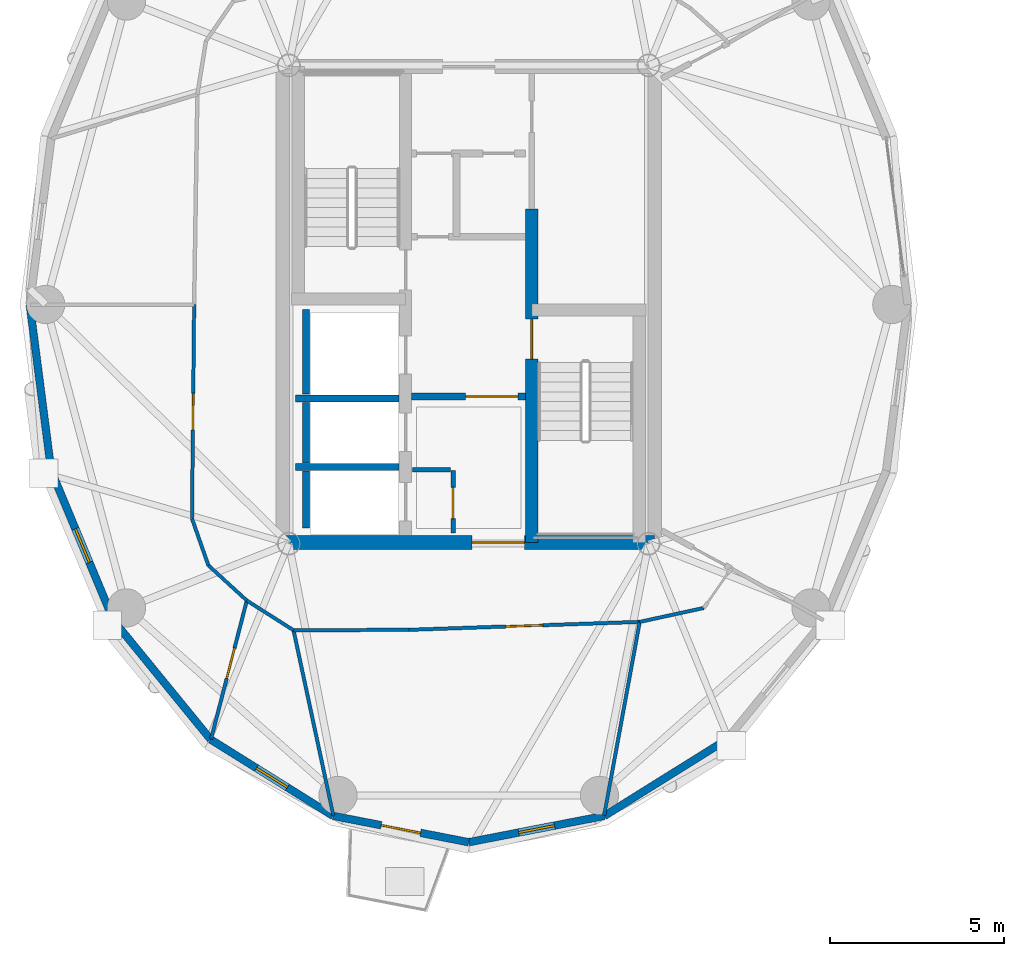
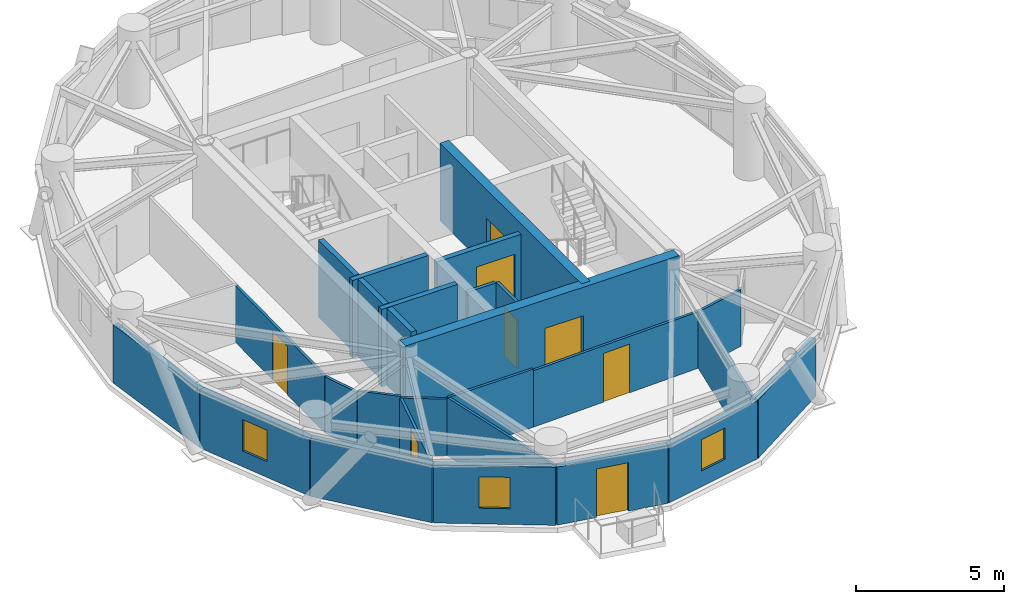
# One storey, part 7 of 15: 27 walls, 8 doors, 3 windows, 11 openings.
"""IFC4 building model written with IfcOpenShell, lengths in metres."""

from ifc_helpers import new_model, si_unit, direction, frame, frame_2d, origin, place, context, subcontext, project, spatial, rectangle, extrude, source, transform, mapped, material, layer, layer_set, type_object, element, fill, save


model = new_model("IFC4")

# Units and contexts
model_context = context("Model", 3, precision=1e-05, world=origin(), true_north=direction((0.0, 1.0)))
body_context = subcontext(model_context, "Body", "Model", "MODEL_VIEW")
ifc_project = project(units=[si_unit("LENGTHUNIT", "METRE"), si_unit("AREAUNIT", "SQUARE_METRE"), si_unit("VOLUMEUNIT", "CUBIC_METRE"), si_unit("PLANEANGLEUNIT", "RADIAN"), si_unit("MASSUNIT", "GRAM", prefix="KILO")], contexts=[model_context])

# Site, building, storey
site_placement = place(None, origin())
site = spatial("IfcSite", under=ifc_project, at=site_placement, CompositionType="ELEMENT")
building_placement = place(site_placement, origin())
building = spatial("IfcBuilding", under=site, at=building_placement, Name="Cununo Teusaquillo Station Towers", CompositionType="ELEMENT")
storey_placement = place(building_placement, frame((0.0, 0.0, 232.449951171875)))
storey = spatial("IfcBuildingStorey", under=building, at=storey_placement, Name="L74", CompositionType="ELEMENT", Elevation=232.449951171875)

# Walls
ifc_material_1 = material(Name="Concrete C50/60", Category="concrete")
ifc_layer_1 = layer(ifc_material_1, 0.199951171875)
ifc_layer_set_1 = layer_set([ifc_layer_1], Name="Concrete C50/60")
wall_type_1 = type_object("IfcWallType", Name="WL-CORE-200", PredefinedType="SHEAR", material=ifc_layer_set_1)
wall_1_placement = place(storey_placement, frame((11.52001953125, 21.800048828125, 0.0), z_axis=(0.0, 0.0, 1.0), x_axis=(1.0, 0.0, 0.0)))
element("IfcWall", 1, at=wall_1_placement, inside=storey, type_object=wall_type_1, Name="L74 Tower A Firefighting Lift Shaft South Shear Wall", PredefinedType="SHEAR", context=body_context, shape_type="SweptSolid", body=[
    extrude(rectangle(XDim=2.969970703125, YDim=0.199951171875, at=frame_2d((1.48486328125, 0.0))), origin(), (0.0, 0.0, 1.0), 3.199951171875),
])
wall_2_placement = place(storey_placement, frame((11.820068359375, 21.919921875, 0.0), z_axis=(0.0, 0.0, 1.0), x_axis=(0.0, 1.0, 0.0)))
element("IfcWall", 2, at=wall_2_placement, inside=storey, type_object=wall_type_1, Name="L74 Tower A Firefighting Lift Shaft Rear Shear Wall", PredefinedType="SHEAR", context=body_context, shape_type="SweptSolid", body=[
    extrude(rectangle(XDim=2.440185546875, YDim=0.199951171875, at=frame_2d((1.22021484375, 0.0))), origin(), (0.0, 0.0, 1.0), 3.199951171875),
])
wall_3_placement = place(storey_placement, frame((11.52001953125, 19.824951171875, 0.0), z_axis=(0.0, 0.0, 1.0), x_axis=(1.0, 0.0, 0.0)))
element("IfcWall", 3, at=wall_3_placement, inside=storey, type_object=wall_type_1, Name="L74 Tower A High-Rise Lift Hoistway Divider Shear Wall", PredefinedType="SHEAR", context=body_context, shape_type="SweptSolid", body=[
    extrude(rectangle(XDim=2.969970703125, YDim=0.199951171875, at=frame_2d((1.48486328125, 0.0))), origin(), (0.0, 0.0, 1.0), 3.199951171875),
])
wall_4_placement = place(storey_placement, frame((11.820068359375, 19.945068359375, 0.0), z_axis=(0.0, 0.0, 1.0), x_axis=(0.0, 1.0, 0.0)))
element("IfcWall", 4, at=wall_4_placement, inside=storey, type_object=wall_type_1, Name="L74 Tower A High-Rise Lift 2 Shaft Rear Shear Wall", PredefinedType="SHEAR", context=body_context, shape_type="SweptSolid", body=[
    extrude(rectangle(XDim=1.73486328125, YDim=0.199951171875, at=frame_2d((0.867431640625, 0.0))), origin(), (0.0, 0.0, 1.0), 3.199951171875),
])
wall_5_placement = place(storey_placement, frame((11.820068359375, 18.070068359375, 0.0), z_axis=(0.0, 0.0, 1.0), x_axis=(0.0, 1.0, 0.0)))
element("IfcWall", 5, at=wall_5_placement, inside=storey, type_object=wall_type_1, Name="L74 Tower A High-Rise Lift 1 Shaft Rear Shear Wall", PredefinedType="SHEAR", context=body_context, shape_type="SweptSolid", body=[
    extrude(rectangle(XDim=1.635009765625, YDim=0.199951171875, at=frame_2d((0.8173828125, 0.0))), origin(), (0.0, 0.0, 1.0), 3.199951171875),
])

# Wall, opening, door
ifc_material_2 = material(Name="Concrete C50/60", Category="concrete")
ifc_layer_2 = layer(ifc_material_2, 0.35009765625)
ifc_layer_set_2 = layer_set([ifc_layer_2], Name="Concrete C50/60")
wall_type_2 = type_object("IfcWallType", Name="WL-CORE-350", PredefinedType="SHEAR", material=ifc_layer_set_2)
wall_6_placement = place(storey_placement, frame((18.31494140625, 17.64990234375, 0.0), z_axis=(0.0, 0.0, 1.0), x_axis=(0.0, 1.0, 0.0)))
wall_6 = element("IfcWall", 6, at=wall_6_placement, inside=storey, type_object=wall_type_2, Name="L74 Tower A Core Shear Wall IE", PredefinedType="SHEAR", context=body_context, shape_type="SweptSolid", body=[
    extrude(rectangle(XDim=9.60009765625, YDim=0.35009765625, at=frame_2d((4.800048828125, 0.0))), origin(), (0.0, 0.0, 1.0), 3.199951171875),
])
shared_shape_1 = source(origin(), body_context, "Body", "SweptSolid", [
    extrude(rectangle(XDim=1.14990234375, YDim=2.02001953125, at=frame_2d((0.574951171875, 1.010009765625))), frame((0.0, 0.18505859375, 0.0), z_axis=(0.0, -1.0, 0.0), x_axis=(1.0, 0.0, 0.0)), (0.0, 0.0, 1.0), 0.3701171875),
])
opening_1_placement = place(wall_6_placement, frame((5.280029296875, 0.0, 0.0)))
opening_1 = element("IfcOpeningElement", 7, at=opening_1_placement, cuts=wall_6, Name="Opening D-ST1", PredefinedType="OPENING", context=body_context, shape_type="MappedRepresentation", body=[
    mapped(shared_shape_1, transform((0.0, 0.0, 0.0), x_axis=(1.0, 0.0, 0.0), y_axis=(0.0, 1.0, 0.0), z_axis=(0.0, 0.0, 1.0), scale=1.0)),
])
ifc_material_3 = material(Name="Galvanised fire-rated hollow steel door assembly", Category="steel")
door_type_1 = type_object("IfcDoorType", Name="DR-STAIR-1150", OperationType="NOTDEFINED", PredefinedType="DOOR", material=ifc_material_3)
shared_shape_2 = source(origin(), body_context, "Body", "SweptSolid", [
    extrude(rectangle(XDim=1.14990234375, YDim=2.02001953125, at=frame_2d((0.574951171875, 1.010009765625))), frame((0.0, 0.02490234375, 0.0), z_axis=(0.0, -1.0, 0.0), x_axis=(1.0, 0.0, 0.0)), (0.0, 0.0, 1.0), 0.050048828125),
])
door_1_placement = place(opening_1_placement, origin())
door_1 = element("IfcDoor", 8, at=door_1_placement, inside=storey, type_object=door_type_1, Name="L74 Tower A Exit Stair 2 Fire Door", OperationType="SINGLE_SWING_LEFT", OverallHeight=2.02001953125, OverallWidth=1.14990234375, PredefinedType="DOOR", context=body_context, shape_type="MappedRepresentation", body=[
    mapped(shared_shape_2, transform((0.0, 0.0, 0.0), x_axis=(1.0, 0.0, 0.0), y_axis=(0.0, 1.0, 0.0), z_axis=(0.0, 0.0, 1.0), scale=1.0)),
])
fill(opening_1, door_1)

ifc_material_4 = material(Name="Concrete C50/60", Category="concrete")
ifc_layer_3 = layer(ifc_material_4, 0.39990234375)
ifc_layer_set_3 = layer_set([ifc_layer_3], Name="Concrete C50/60")
wall_type_3 = type_object("IfcWallType", Name="WL-CORE-400", PredefinedType="SHEAR", material=ifc_layer_set_3)
wall_7_placement = place(storey_placement, frame((11.14990234375, 17.64990234375, 0.0), z_axis=(0.0, 0.0, 1.0), x_axis=(1.0, 0.0, 0.0)))
wall_7 = element("IfcWall", 9, at=wall_7_placement, inside=storey, type_object=wall_type_3, Name="L74 Tower A Core Shear Wall S", PredefinedType="SHEAR", context=body_context, shape_type="SweptSolid", body=[
    extrude(rectangle(XDim=10.7001953125, YDim=0.39990234375, at=frame_2d((5.35009765625, 0.0))), origin(), (0.0, 0.0, 1.0), 3.199951171875),
])
shared_shape_3 = source(origin(), body_context, "Body", "SweptSolid", [
    extrude(rectangle(XDim=1.5, YDim=2.02001953125, at=frame_2d((0.75, 1.010009765625))), frame((0.0, 0.2099609375, 0.0), z_axis=(0.0, -1.0, 0.0), x_axis=(1.0, 0.0, 0.0)), (0.0, 0.0, 1.0), 0.419921875),
])
opening_2_placement = place(wall_7_placement, frame((5.449951171875, 0.0, 0.0)))
opening_2 = element("IfcOpeningElement", 10, at=opening_2_placement, cuts=wall_7, Name="Opening D-LB1", PredefinedType="OPENING", context=body_context, shape_type="MappedRepresentation", body=[
    mapped(shared_shape_3, transform((0.0, 0.0, 0.0), x_axis=(1.0, 0.0, 0.0), y_axis=(0.0, 1.0, 0.0), z_axis=(0.0, 0.0, 1.0), scale=1.0)),
])
ifc_material_5 = material(Name="Galvanised fire-rated hollow steel door assembly", Category="steel")
door_type_2 = type_object("IfcDoorType", Name="DR-LOBBY-1500", OperationType="DOUBLE_DOOR_SINGLE_SWING", PredefinedType="DOOR", material=ifc_material_5)
shared_shape_4 = source(origin(), body_context, "Body", "SweptSolid", [
    extrude(rectangle(XDim=1.5, YDim=2.02001953125, at=frame_2d((0.75, 1.010009765625))), frame((0.0, 0.02490234375, 0.0), z_axis=(0.0, -1.0, 0.0), x_axis=(1.0, 0.0, 0.0)), (0.0, 0.0, 1.0), 0.050048828125),
])
door_2_placement = place(opening_2_placement, origin())
door_2 = element("IfcDoor", 11, at=door_2_placement, inside=storey, type_object=door_type_2, Name="L74 Tower A South Core Lift Lobby Door", OperationType="DOUBLE_DOOR_SINGLE_SWING", OverallHeight=2.02001953125, OverallWidth=1.5, PredefinedType="DOOR", context=body_context, shape_type="MappedRepresentation", body=[
    mapped(shared_shape_4, transform((0.0, 0.0, 0.0), x_axis=(1.0, 0.0, 0.0), y_axis=(0.0, 1.0, 0.0), z_axis=(0.0, 0.0, 1.0), scale=1.0)),
])
fill(opening_2, door_2)

# Wall
ifc_material_6 = material(Name="Precast concrete C40/50", Category="concrete")
ifc_layer_4 = layer(ifc_material_6, 0.219970703125)
ifc_layer_set_4 = layer_set([ifc_layer_4], Name="Precast concrete C40/50")
wall_type_4 = type_object("IfcWallType", Name="WL-EXT-220", PredefinedType="SOLIDWALL", material=ifc_layer_set_4)
wall_8_placement = place(storey_placement, frame((4.48828125, 19.719482421875, 0.0), z_axis=(0.0, 0.0, 1.0), x_axis=(-0.128241318541, 0.991742993027, 0.0)))
element("IfcWall", 12, at=wall_8_placement, inside=storey, type_object=wall_type_4, Name="L74 Tower A Exterior Facade Wall C10", PredefinedType="SOLIDWALL", context=body_context, shape_type="SweptSolid", body=[
    extrude(rectangle(XDim=4.8203125, YDim=0.219970703125, at=frame_2d((2.41015625, 0.0))), origin(), (0.0, 0.0, 1.0), 2.402099609375),
])

# Wall, opening, window
wall_9_placement = place(storey_placement, frame((6.281982421875, 15.406982421875, 0.0), z_axis=(0.0, 0.0, 1.0), x_axis=(-0.384036305194, 0.923317993052, 0.0)))
wall_9 = element("IfcWall", 13, at=wall_9_placement, inside=storey, type_object=wall_type_4, Name="L74 Tower A Exterior Facade Wall C11", PredefinedType="SOLIDWALL", context=body_context, shape_type="SweptSolid", body=[
    extrude(rectangle(XDim=4.670654296875, YDim=0.219970703125, at=frame_2d((2.33544921875, 0.0))), origin(), (0.0, 0.0, 1.0), 2.402099609375),
])
shared_shape_5 = source(origin(), body_context, "Body", "SweptSolid", [
    extrude(rectangle(XDim=1.050048828125, YDim=1.300048828125, at=frame_2d((0.52490234375, 0.64990234375))), frame((0.0, 0.119873046875, 0.0), z_axis=(0.0, -1.0, 0.0), x_axis=(1.0, 0.0, 0.0)), (0.0, 0.0, 1.0), 0.239990234375),
])
opening_3_placement = place(wall_9_placement, frame((1.81005859375, 0.0, 0.64990234375)))
opening_3 = element("IfcOpeningElement", 14, at=opening_3_placement, cuts=wall_9, Name="Opening WN-04", PredefinedType="OPENING", context=body_context, shape_type="MappedRepresentation", body=[
    mapped(shared_shape_5, transform((0.0, 0.0, 0.0), x_axis=(1.0, 0.0, 0.0), y_axis=(0.0, 1.0, 0.0), z_axis=(0.0, 0.0, 1.0), scale=1.0)),
])
ifc_material_7 = material(Name="Operable acoustic tinted low-E double glazing", Category="glass")
window_type = type_object("IfcWindowType", Name="WIN-BAL-1050", PartitioningType="SINGLE_PANEL", PredefinedType="WINDOW", material=ifc_material_7)
shared_shape_6 = source(origin(), body_context, "Body", "SweptSolid", [
    extrude(rectangle(XDim=1.050048828125, YDim=1.300048828125, at=frame_2d((0.52490234375, 0.64990234375))), frame((0.0, 0.030029296875, 0.0), z_axis=(0.0, -1.0, 0.0), x_axis=(1.0, 0.0, 0.0)), (0.0, 0.0, 1.0), 0.06005859375),
])
window_1_placement = place(opening_3_placement, origin())
window_1 = element("IfcWindow", 15, at=window_1_placement, inside=storey, type_object=window_type, Name="L74 Tower A Facade Window C11", OverallHeight=1.300048828125, OverallWidth=1.050048828125, PartitioningType="SINGLE_PANEL", PredefinedType="WINDOW", context=body_context, shape_type="MappedRepresentation", body=[
    mapped(shared_shape_6, transform((0.0, 0.0, 0.0), x_axis=(1.0, 0.0, 0.0), y_axis=(0.0, 1.0, 0.0), z_axis=(0.0, 0.0, 1.0), scale=1.0)),
])
fill(opening_3, window_1)

# Wall
wall_10_placement = place(storey_placement, frame((9.076416015625, 11.984619140625, 0.0), z_axis=(0.0, 0.0, 1.0), x_axis=(-0.632467166636, 0.774587169483, 0.0)))
element("IfcWall", 16, at=wall_10_placement, inside=storey, type_object=wall_type_4, Name="L74 Tower A Exterior Facade Wall C12", PredefinedType="SOLIDWALL", context=body_context, shape_type="SweptSolid", body=[
    extrude(rectangle(XDim=4.418212890625, YDim=0.219970703125, at=frame_2d((2.208984375, 0.0))), origin(), (0.0, 0.0, 1.0), 2.402099609375),
])

# Wall, opening, window
wall_11_placement = place(storey_placement, frame((12.59716796875, 9.787109375, 0.0), z_axis=(0.0, 0.0, 1.0), x_axis=(-0.848318713376, 0.529485939886, 0.0)))
wall_11 = element("IfcWall", 17, at=wall_11_placement, inside=storey, type_object=wall_type_4, Name="L74 Tower A Exterior Facade Wall C13", PredefinedType="SOLIDWALL", context=body_context, shape_type="SweptSolid", body=[
    extrude(rectangle(XDim=4.150390625, YDim=0.219970703125, at=frame_2d((2.0751953125, 0.0))), origin(), (0.0, 0.0, 1.0), 2.402099609375),
])
opening_4_placement = place(wall_11_placement, frame((1.550048828125, 0.0, 0.64990234375)))
opening_4 = element("IfcOpeningElement", 18, at=opening_4_placement, cuts=wall_11, Name="Opening WN-04", PredefinedType="OPENING", context=body_context, shape_type="MappedRepresentation", body=[
    mapped(shared_shape_5, transform((0.0, 0.0, 0.0), x_axis=(1.0, 0.0, 0.0), y_axis=(0.0, 1.0, 0.0), z_axis=(0.0, 0.0, 1.0), scale=1.0)),
])
window_2_placement = place(opening_4_placement, origin())
window_2 = element("IfcWindow", 19, at=window_2_placement, inside=storey, type_object=window_type, Name="L74 Tower A Facade Window C13", OverallHeight=1.300048828125, OverallWidth=1.050048828125, PartitioningType="SINGLE_PANEL", PredefinedType="WINDOW", context=body_context, shape_type="MappedRepresentation", body=[
    mapped(shared_shape_6, transform((0.0, 0.0, 0.0), x_axis=(1.0, 0.0, 0.0), y_axis=(0.0, 1.0, 0.0), z_axis=(0.0, 0.0, 1.0), scale=1.0)),
])
fill(opening_4, window_2)

# Wall, opening, door
wall_12_placement = place(storey_placement, frame((16.5, 9.030029296875, 0.0), z_axis=(0.0, 0.0, 1.0), x_axis=(-0.981700307484, 0.190432419211, 0.0)))
wall_12 = element("IfcWall", 20, at=wall_12_placement, inside=storey, type_object=wall_type_4, Name="L74 Tower A Exterior Facade Wall C14", PredefinedType="SOLIDWALL", context=body_context, shape_type="SweptSolid", body=[
    extrude(rectangle(XDim=3.9755859375, YDim=0.219970703125, at=frame_2d((1.98779296875, 0.0))), origin(), (0.0, 0.0, 1.0), 2.402099609375),
])
shared_shape_7 = source(origin(), body_context, "Body", "SweptSolid", [
    extrude(rectangle(XDim=1.14990234375, YDim=2.0048828125, at=frame_2d((0.574951171875, 1.00244140625))), frame((0.0, 0.119873046875, 0.0), z_axis=(0.0, -1.0, 0.0), x_axis=(1.0, 0.0, 0.0)), (0.0, 0.0, 1.0), 0.239990234375),
])
opening_5_placement = place(wall_12_placement, frame((1.4130859375, 0.0, 0.0)))
opening_5 = element("IfcOpeningElement", 21, at=opening_5_placement, cuts=wall_12, Name="Opening ED-03", PredefinedType="OPENING", context=body_context, shape_type="MappedRepresentation", body=[
    mapped(shared_shape_7, transform((0.0, 0.0, 0.0), x_axis=(1.0, 0.0, 0.0), y_axis=(0.0, 1.0, 0.0), z_axis=(0.0, 0.0, 1.0), scale=1.0)),
])
ifc_material_8 = material(Name="Anodised dark bronze aluminium EN AW-6063-T6", Category="aluminium")
door_type_3 = type_object("IfcDoorType", Name="DR-EXT-BAL", OperationType="NOTDEFINED", PredefinedType="DOOR", material=ifc_material_8)
shared_shape_8 = source(origin(), body_context, "Body", "SweptSolid", [
    extrude(rectangle(XDim=1.14990234375, YDim=2.0048828125, at=frame_2d((0.574951171875, 1.00244140625))), frame((0.0, 0.02490234375, 0.0), z_axis=(0.0, -1.0, 0.0), x_axis=(1.0, 0.0, 0.0)), (0.0, 0.0, 1.0), 0.050048828125),
])
door_3_placement = place(opening_5_placement, origin())
door_3 = element("IfcDoor", 22, at=door_3_placement, inside=storey, type_object=door_type_3, Name="L74 Tower A Tree Balcony Door C14", OperationType="SINGLE_SWING_LEFT", OverallHeight=2.0048828125, OverallWidth=1.14990234375, PredefinedType="DOOR", context=body_context, shape_type="MappedRepresentation", body=[
    mapped(shared_shape_8, transform((0.0, 0.0, 0.0), x_axis=(1.0, 0.0, 0.0), y_axis=(0.0, 1.0, 0.0), z_axis=(0.0, 0.0, 1.0), scale=1.0)),
])
fill(opening_5, door_3)

# Wall, opening, window
wall_13_placement = place(storey_placement, frame((20.40283203125, 9.787109375, 0.0), z_axis=(0.0, 0.0, 1.0), x_axis=(-0.981700307484, -0.190432419211, 0.0)))
wall_13 = element("IfcWall", 23, at=wall_13_placement, inside=storey, type_object=wall_type_4, Name="L74 Tower A Exterior Facade Wall C15", PredefinedType="SOLIDWALL", context=body_context, shape_type="SweptSolid", body=[
    extrude(rectangle(XDim=3.9755859375, YDim=0.219970703125, at=frame_2d((1.98779296875, 0.0))), origin(), (0.0, 0.0, 1.0), 2.402099609375),
])
opening_6_placement = place(wall_13_placement, frame((1.462890625, 0.0, 0.64990234375)))
opening_6 = element("IfcOpeningElement", 24, at=opening_6_placement, cuts=wall_13, Name="Opening WN-04", PredefinedType="OPENING", context=body_context, shape_type="MappedRepresentation", body=[
    mapped(shared_shape_5, transform((0.0, 0.0, 0.0), x_axis=(1.0, 0.0, 0.0), y_axis=(0.0, 1.0, 0.0), z_axis=(0.0, 0.0, 1.0), scale=1.0)),
])
window_3_placement = place(opening_6_placement, origin())
window_3 = element("IfcWindow", 25, at=window_3_placement, inside=storey, type_object=window_type, Name="L74 Tower A Facade Window C15", OverallHeight=1.300048828125, OverallWidth=1.050048828125, PartitioningType="SINGLE_PANEL", PredefinedType="WINDOW", context=body_context, shape_type="MappedRepresentation", body=[
    mapped(shared_shape_6, transform((0.0, 0.0, 0.0), x_axis=(1.0, 0.0, 0.0), y_axis=(0.0, 1.0, 0.0), z_axis=(0.0, 0.0, 1.0), scale=1.0)),
])
fill(opening_6, window_3)

# Wall
wall_14_placement = place(storey_placement, frame((23.923583984375, 11.984619140625, 0.0), z_axis=(0.0, 0.0, 1.0), x_axis=(-0.848318713376, -0.529485939886, 0.0)))
element("IfcWall", 26, at=wall_14_placement, inside=storey, type_object=wall_type_4, Name="L74 Tower A Exterior Facade Wall C16", PredefinedType="SOLIDWALL", context=body_context, shape_type="SweptSolid", body=[
    extrude(rectangle(XDim=4.150390625, YDim=0.219970703125, at=frame_2d((2.0751953125, 0.0))), origin(), (0.0, 0.0, 1.0), 2.402099609375),
])

# Wall, opening, door
ifc_material_9 = material(Name="Fire-rated gypsum plasterboard partition assembly", Category="gypsum")
ifc_layer_5 = layer(ifc_material_9, 0.10009765625)
ifc_layer_set_5 = layer_set([ifc_layer_5], Name="Fire-rated gypsum plasterboard partition assembly")
wall_type_5 = type_object("IfcWallType", Name="WL-PART-100", PredefinedType="MOVABLE", material=ifc_layer_set_5)
wall_15_placement = place(storey_placement, frame((8.60009765625, 24.5, 0.0), z_axis=(0.0, 0.0, 1.0), x_axis=(-0.010023665349, -0.999949761805, 0.0)))
wall_15 = element("IfcWall", 27, at=wall_15_placement, inside=storey, type_object=wall_type_5, Name="L74 Tower A Corridor Ring Wall C10", PredefinedType="MOVABLE", context=body_context, shape_type="SweptSolid", body=[
    extrude(rectangle(XDim=6.162109375, YDim=0.10009765625, at=frame_2d((3.0810546875, 0.0))), origin(), (0.0, 0.0, 1.0), 2.3349609375),
])
shared_shape_9 = source(origin(), body_context, "Body", "SweptSolid", [
    extrude(rectangle(XDim=1.050048828125, YDim=2.014892578125, at=frame_2d((0.52490234375, 1.00732421875))), frame((0.0, 0.06005859375, 0.0), z_axis=(0.0, -1.0, 0.0), x_axis=(1.0, 0.0, 0.0)), (0.0, 0.0, 1.0), 0.1201171875),
])
opening_7_placement = place(wall_15_placement, frame((2.55615234375, 0.0, 0.0)))
opening_7 = element("IfcOpeningElement", 28, at=opening_7_placement, cuts=wall_15, Name="Opening D-SU1", PredefinedType="OPENING", context=body_context, shape_type="MappedRepresentation", body=[
    mapped(shared_shape_9, transform((0.0, 0.0, 0.0), x_axis=(1.0, 0.0, 0.0), y_axis=(0.0, 1.0, 0.0), z_axis=(0.0, 0.0, 1.0), scale=1.0)),
])
ifc_material_10 = material(Name="Acoustic solid-core hardwood leaf assembly", Category="wood")
door_type_4 = type_object("IfcDoorType", Name="DR-SUITE-1050", OperationType="NOTDEFINED", PredefinedType="DOOR", material=ifc_material_10)
shared_shape_10 = source(origin(), body_context, "Body", "SweptSolid", [
    extrude(rectangle(XDim=1.050048828125, YDim=2.014892578125, at=frame_2d((0.52490234375, 1.00732421875))), frame((0.0, 0.02490234375, 0.0), z_axis=(0.0, -1.0, 0.0), x_axis=(1.0, 0.0, 0.0)), (0.0, 0.0, 1.0), 0.050048828125),
])
door_4_placement = place(opening_7_placement, origin())
door_4 = element("IfcDoor", 29, at=door_4_placement, inside=storey, type_object=door_type_4, Name="L74 Tower A Interactive Altitude & Climate Exhibit Entrance Door", OperationType="SINGLE_SWING_RIGHT", OverallHeight=2.014892578125, OverallWidth=1.050048828125, PredefinedType="DOOR", context=body_context, shape_type="MappedRepresentation", body=[
    mapped(shared_shape_10, transform((0.0, 0.0, 0.0), x_axis=(1.0, 0.0, 0.0), y_axis=(0.0, 1.0, 0.0), z_axis=(0.0, 0.0, 1.0), scale=1.0)),
])
fill(opening_7, door_4)

# Walls
wall_16_placement = place(storey_placement, frame((8.538330078125, 18.338134765625, 0.0), z_axis=(0.0, 0.0, 1.0), x_axis=(0.331358150167, -0.94350504838, 0.0)))
element("IfcWall", 30, at=wall_16_placement, inside=storey, type_object=wall_type_5, Name="L74 Tower A Corridor Ring Wall C11", PredefinedType="MOVABLE", context=body_context, shape_type="SweptSolid", body=[
    extrude(rectangle(XDim=1.42431640625, YDim=0.10009765625, at=frame_2d((0.712158203125, 0.0))), origin(), (0.0, 0.0, 1.0), 2.3349609375),
])
wall_17_placement = place(storey_placement, frame((9.01025390625, 16.994384765625, 0.0), z_axis=(0.0, 0.0, 1.0), x_axis=(0.737701798986, -0.67512669609, 0.0)))
element("IfcWall", 31, at=wall_17_placement, inside=storey, type_object=wall_type_5, Name="L74 Tower A Corridor Ring Wall C12", PredefinedType="MOVABLE", context=body_context, shape_type="SweptSolid", body=[
    extrude(rectangle(XDim=1.498291015625, YDim=0.10009765625, at=frame_2d((0.7490234375, 0.0))), origin(), (0.0, 0.0, 1.0), 2.402099609375),
])
wall_18_placement = place(storey_placement, frame((10.115478515625, 15.98291015625, 0.0), z_axis=(0.0, 0.0, 1.0), x_axis=(0.843995849351, -0.536349705209, 0.0)))
element("IfcWall", 32, at=wall_18_placement, inside=storey, type_object=wall_type_5, Name="L74 Tower A Corridor Ring Wall C13", PredefinedType="MOVABLE", context=body_context, shape_type="SweptSolid", body=[
    extrude(rectangle(XDim=1.5927734375, YDim=0.10009765625, at=frame_2d((0.79638671875, 0.0))), origin(), (0.0, 0.0, 1.0), 2.3349609375),
])
wall_19_placement = place(storey_placement, frame((11.459716796875, 15.128662109375, 0.0), z_axis=(0.0, 0.0, 1.0), x_axis=(0.999993513287, 0.003601858435, 0.0)))
element("IfcWall", 33, at=wall_19_placement, inside=storey, type_object=wall_type_5, Name="L74 Tower A Corridor Ring Wall C14", PredefinedType="MOVABLE", context=body_context, shape_type="SweptSolid", body=[
    extrude(rectangle(XDim=3.3212890625, YDim=0.10009765625, at=frame_2d((1.66064453125, 0.0))), origin(), (0.0, 0.0, 1.0), 2.402099609375),
])

# Wall, opening, door
wall_20_placement = place(storey_placement, frame((14.781005859375, 15.140625, 0.0), z_axis=(0.0, 0.0, 1.0), x_axis=(0.999407918707, 0.034406569513, 0.0)))
wall_20 = element("IfcWall", 34, at=wall_20_placement, inside=storey, type_object=wall_type_5, Name="L74 Tower A Corridor Ring Wall C15", PredefinedType="MOVABLE", context=body_context, shape_type="SweptSolid", body=[
    extrude(rectangle(XDim=6.6416015625, YDim=0.10009765625, at=frame_2d((3.32080078125, 0.0))), origin(), (0.0, 0.0, 1.0), 2.3349609375),
])
opening_8_placement = place(wall_20_placement, frame((2.7958984375, 0.0, 0.0)))
opening_8 = element("IfcOpeningElement", 35, at=opening_8_placement, cuts=wall_20, Name="Opening D-SU1", PredefinedType="OPENING", context=body_context, shape_type="MappedRepresentation", body=[
    mapped(shared_shape_9, transform((0.0, 0.0, 0.0), x_axis=(1.0, 0.0, 0.0), y_axis=(0.0, 1.0, 0.0), z_axis=(0.0, 0.0, 1.0), scale=1.0)),
])
door_5_placement = place(opening_8_placement, origin())
door_5 = element("IfcDoor", 36, at=door_5_placement, inside=storey, type_object=door_type_4, Name="L74 Tower A Observatory Cafe & Gift Salon Entrance Door", OperationType="SINGLE_SWING_RIGHT", OverallHeight=2.014892578125, OverallWidth=1.050048828125, PredefinedType="DOOR", context=body_context, shape_type="MappedRepresentation", body=[
    mapped(shared_shape_10, transform((0.0, 0.0, 0.0), x_axis=(1.0, 0.0, 0.0), y_axis=(0.0, 1.0, 0.0), z_axis=(0.0, 0.0, 1.0), scale=1.0)),
])
fill(opening_8, door_5)

# Walls
wall_21_placement = place(storey_placement, frame((21.418701171875, 15.369140625, 0.0), z_axis=(0.0, 0.0, 1.0), x_axis=(0.977192701953, 0.212354475464, 0.0)))
element("IfcWall", 37, at=wall_21_placement, inside=storey, type_object=wall_type_5, Name="L74 Tower A Corridor Ring Wall C16", PredefinedType="MOVABLE", context=body_context, shape_type="SweptSolid", body=[
    extrude(rectangle(XDim=1.8876953125, YDim=0.10009765625, at=frame_2d((0.94384765625, 0.0))), origin(), (0.0, 0.0, 1.0), 2.3349609375),
])
wall_22_placement = place(storey_placement, frame((11.459716796875, 15.128662109375, 0.0), z_axis=(0.0, 0.0, 1.0), x_axis=(0.210058897642, -0.977688733453, 0.0)))
element("IfcWall", 38, at=wall_22_placement, inside=storey, type_object=wall_type_5, Name="L74 Tower A Radial Suite Partition R04", PredefinedType="MOVABLE", context=body_context, shape_type="SweptSolid", body=[
    extrude(rectangle(XDim=5.444091796875, YDim=0.10009765625, at=frame_2d((2.72216796875, 0.0))), origin(), (0.0, 0.0, 1.0), 2.402099609375),
])
wall_23_placement = place(storey_placement, frame((21.418701171875, 15.369140625, 0.0), z_axis=(0.0, 0.0, 1.0), x_axis=(-0.180685606423, -0.98354090491, 0.0)))
element("IfcWall", 39, at=wall_23_placement, inside=storey, type_object=wall_type_5, Name="L74 Tower A Radial Suite Partition R05", PredefinedType="MOVABLE", context=body_context, shape_type="SweptSolid", body=[
    extrude(rectangle(XDim=5.656005859375, YDim=0.10009765625, at=frame_2d((2.828125, 0.0))), origin(), (0.0, 0.0, 1.0), 2.402099609375),
])

# Wall, opening, door
wall_24_placement = place(storey_placement, frame((10.115478515625, 15.98291015625, 0.0), z_axis=(0.0, 0.0, 1.0), x_axis=(-0.249861860474, -0.968281493513, 0.0)))
wall_24 = element("IfcWall", 40, at=wall_24_placement, inside=storey, type_object=wall_type_5, Name="L74 Tower A Interactive Altitude & Climate Exhibit Suite Subdividing Wall", PredefinedType="MOVABLE", context=body_context, shape_type="SweptSolid", body=[
    extrude(rectangle(XDim=4.112548828125, YDim=0.10009765625, at=frame_2d((2.05615234375, 0.0))), origin(), (0.0, 0.0, 1.0), 2.3349609375),
])
shared_shape_11 = source(origin(), body_context, "Body", "SweptSolid", [
    extrude(rectangle(XDim=0.89990234375, YDim=2.0048828125, at=frame_2d((0.449951171875, 1.00244140625))), frame((0.0, 0.06005859375, 0.0), z_axis=(0.0, -1.0, 0.0), x_axis=(1.0, 0.0, 0.0)), (0.0, 0.0, 1.0), 0.1201171875),
])
opening_9_placement = place(wall_24_placement, frame((1.41259765625, 0.0, 0.0)))
opening_9 = element("IfcOpeningElement", 41, at=opening_9_placement, cuts=wall_24, Name="Opening D-IN1", PredefinedType="OPENING", context=body_context, shape_type="MappedRepresentation", body=[
    mapped(shared_shape_11, transform((0.0, 0.0, 0.0), x_axis=(1.0, 0.0, 0.0), y_axis=(0.0, 1.0, 0.0), z_axis=(0.0, 0.0, 1.0), scale=1.0)),
])
ifc_material_11 = material(Name="Acoustic solid-core hardwood leaf assembly", Category="wood")
door_type_5 = type_object("IfcDoorType", Name="DR-INT-900", OperationType="NOTDEFINED", PredefinedType="DOOR", material=ifc_material_11)
shared_shape_12 = source(origin(), body_context, "Body", "SweptSolid", [
    extrude(rectangle(XDim=0.89990234375, YDim=2.0048828125, at=frame_2d((0.449951171875, 1.00244140625))), frame((0.0, 0.02490234375, 0.0), z_axis=(0.0, -1.0, 0.0), x_axis=(1.0, 0.0, 0.0)), (0.0, 0.0, 1.0), 0.050048828125),
])
door_6_placement = place(opening_9_placement, origin())
door_6 = element("IfcDoor", 42, at=door_6_placement, inside=storey, type_object=door_type_5, Name="L74 Tower A Interactive Altitude & Climate Exhibit Suite Connecting Door", OperationType="SINGLE_SWING_LEFT", OverallHeight=2.0048828125, OverallWidth=0.89990234375, PredefinedType="DOOR", context=body_context, shape_type="MappedRepresentation", body=[
    mapped(shared_shape_12, transform((0.0, 0.0, 0.0), x_axis=(1.0, 0.0, 0.0), y_axis=(0.0, 1.0, 0.0), z_axis=(0.0, 0.0, 1.0), scale=1.0)),
])
fill(opening_9, door_6)

ifc_material_12 = material(Name="Fire-rated gypsum plasterboard partition assembly", Category="gypsum")
ifc_layer_6 = layer(ifc_material_12, 0.125)
ifc_layer_set_6 = layer_set([ifc_layer_6], Name="Fire-rated gypsum plasterboard partition assembly")
wall_type_6 = type_object("IfcWallType", Name="WL-PART-125", PredefinedType="PARTITIONING", material=ifc_layer_set_6)
wall_25_placement = place(storey_placement, frame((16.050048828125, 17.919921875, 0.0), z_axis=(0.0, 0.0, 1.0), x_axis=(0.0, 1.0, 0.0)))
wall_25 = element("IfcWall", 43, at=wall_25_placement, inside=storey, type_object=wall_type_6, Name="L74 Tower A South-West Compact Store East Wall", PredefinedType="PARTITIONING", context=body_context, shape_type="SweptSolid", body=[
    extrude(rectangle(XDim=1.800048828125, YDim=0.125, at=frame_2d((0.89990234375, 0.0))), origin(), (0.0, 0.0, 1.0), 2.76513671875),
])
shared_shape_13 = source(origin(), body_context, "Body", "SweptSolid", [
    extrude(rectangle(XDim=0.89990234375, YDim=2.0048828125, at=frame_2d((0.449951171875, 1.00244140625))), frame((0.0, 0.072509765625, 0.0), z_axis=(0.0, -1.0, 0.0), x_axis=(1.0, 0.0, 0.0)), (0.0, 0.0, 1.0), 0.14501953125),
])
opening_10_placement = place(wall_25_placement, frame((0.419921875, 0.0, 0.0)))
opening_10 = element("IfcOpeningElement", 44, at=opening_10_placement, cuts=wall_25, Name="Opening D-SR1", PredefinedType="OPENING", context=body_context, shape_type="MappedRepresentation", body=[
    mapped(shared_shape_13, transform((0.0, 0.0, 0.0), x_axis=(1.0, 0.0, 0.0), y_axis=(0.0, 1.0, 0.0), z_axis=(0.0, 0.0, 1.0), scale=1.0)),
])
ifc_material_13 = material(Name="Galvanised fire-rated hollow steel door assembly", Category="steel")
door_type_6 = type_object("IfcDoorType", Name="DR-STORE-900", OperationType="NOTDEFINED", PredefinedType="DOOR", material=ifc_material_13)
door_7_placement = place(opening_10_placement, origin())
door_7 = element("IfcDoor", 45, at=door_7_placement, inside=storey, type_object=door_type_6, Name="L74 Tower A Core Electrical & Comms Store Door", OperationType="SINGLE_SWING_RIGHT", OverallHeight=2.0048828125, OverallWidth=0.89990234375, PredefinedType="DOOR", context=body_context, shape_type="MappedRepresentation", body=[
    mapped(shared_shape_12, transform((0.0, 0.0, 0.0), x_axis=(1.0, 0.0, 0.0), y_axis=(0.0, 1.0, 0.0), z_axis=(0.0, 0.0, 1.0), scale=1.0)),
])
fill(opening_10, door_7)

# Wall
wall_26_placement = place(storey_placement, frame((14.8798828125, 19.75, 0.0), z_axis=(0.0, 0.0, 1.0), x_axis=(1.0, 0.0, 0.0)))
element("IfcWall", 46, at=wall_26_placement, inside=storey, type_object=wall_type_6, Name="L74 Tower A South-West Compact Store North Wall", PredefinedType="PARTITIONING", context=body_context, shape_type="SweptSolid", body=[
    extrude(rectangle(XDim=1.10009765625, YDim=0.125, at=frame_2d((0.550048828125, 0.0))), origin(), (0.0, 0.0, 1.0), 2.76513671875),
])

# Wall, opening, door
ifc_material_14 = material(Name="Fire-rated gypsum plasterboard partition assembly", Category="gypsum")
ifc_layer_7 = layer(ifc_material_14, 0.199951171875)
ifc_layer_set_7 = layer_set([ifc_layer_7], Name="Fire-rated gypsum plasterboard partition assembly")
wall_type_7 = type_object("IfcWallType", Name="WL-PART-200", PredefinedType="PARTITIONING", material=ifc_layer_set_7)
wall_27_placement = place(storey_placement, frame((14.860107421875, 21.85009765625, 0.0), z_axis=(0.0, 0.0, 1.0), x_axis=(1.0, 0.0, 0.0)))
wall_27 = element("IfcWall", 47, at=wall_27_placement, inside=storey, type_object=wall_type_7, Name="L74 Tower A Firefighting Lift Lobby South Fire Wall", PredefinedType="PARTITIONING", context=body_context, shape_type="SweptSolid", body=[
    extrude(rectangle(XDim=3.27978515625, YDim=0.199951171875, at=frame_2d((1.639892578125, 0.0))), origin(), (0.0, 0.0, 1.0), 2.76513671875),
])
shared_shape_14 = source(origin(), body_context, "Body", "SweptSolid", [
    extrude(rectangle(XDim=1.5, YDim=2.02001953125, at=frame_2d((0.75, 1.010009765625))), frame((0.0, 0.10986328125, 0.0), z_axis=(0.0, -1.0, 0.0), x_axis=(1.0, 0.0, 0.0)), (0.0, 0.0, 1.0), 0.219970703125),
])
opening_11_placement = place(wall_27_placement, frame((1.550048828125, 0.0, 0.0)))
opening_11 = element("IfcOpeningElement", 48, at=opening_11_placement, cuts=wall_27, Name="Opening D-LB1", PredefinedType="OPENING", context=body_context, shape_type="MappedRepresentation", body=[
    mapped(shared_shape_14, transform((0.0, 0.0, 0.0), x_axis=(1.0, 0.0, 0.0), y_axis=(0.0, 1.0, 0.0), z_axis=(0.0, 0.0, 1.0), scale=1.0)),
])
door_8_placement = place(opening_11_placement, origin())
door_8 = element("IfcDoor", 49, at=door_8_placement, inside=storey, type_object=door_type_2, Name="L74 Tower A Firefighting Lift Lobby South Fire Door", OperationType="DOUBLE_DOOR_SINGLE_SWING", OverallHeight=2.02001953125, OverallWidth=1.5, PredefinedType="DOOR", context=body_context, shape_type="MappedRepresentation", body=[
    mapped(shared_shape_4, transform((0.0, 0.0, 0.0), x_axis=(1.0, 0.0, 0.0), y_axis=(0.0, 1.0, 0.0), z_axis=(0.0, 0.0, 1.0), scale=1.0)),
])
fill(opening_11, door_8)

save(model, "model.ifc")
